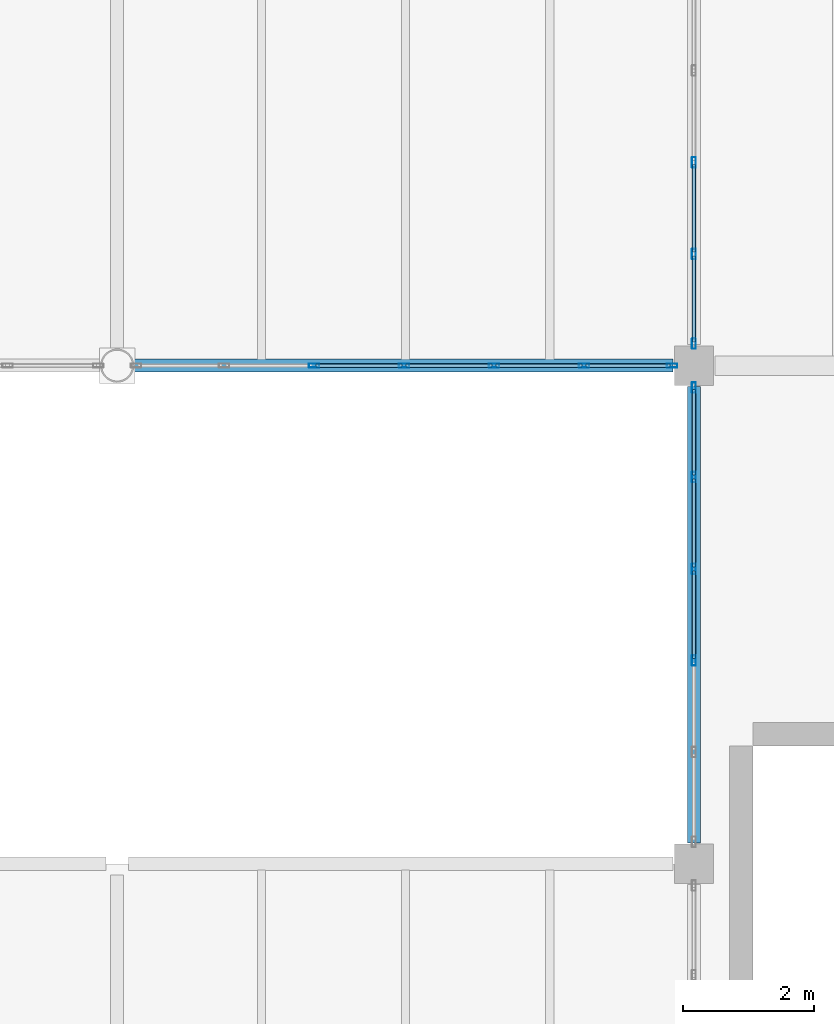
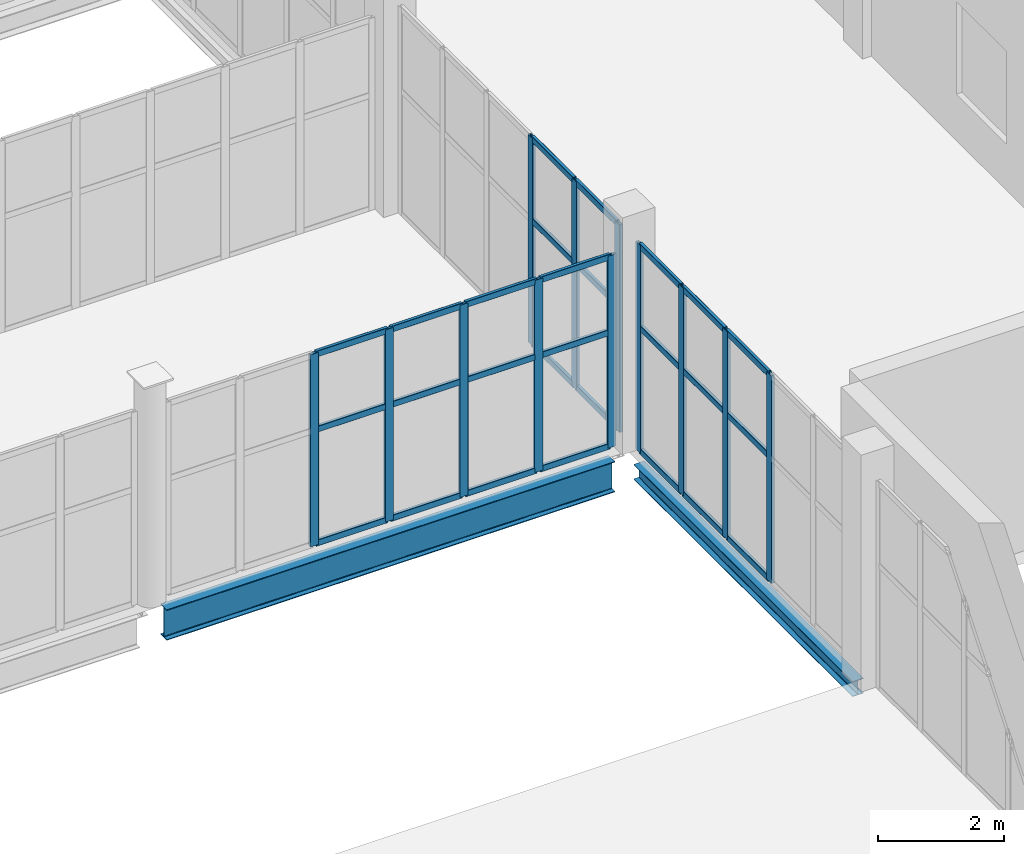
# One storey, part 85 of 136: 39 members, 2 beams, 3 elements without a shape of their own.
"""IFC4 building model written with IfcOpenShell, lengths in metres."""

from ifc_helpers import new_model, si_unit, direction, frame, origin, origin_2d, place, context, subcontext, project, spatial, hollow_rectangle, i_section, extrude, material, material_profile, profile_set, type_object, element, aggregate, save


model = new_model("IFC4")

# Units and contexts
model_context = context("Model", 3, precision=1e-05, world=origin(), true_north=direction((0.0, 1.0)))
body_context = subcontext(model_context, "Body", "Model", "MODEL_VIEW")
ifc_project = project(units=[si_unit("LENGTHUNIT", "METRE"), si_unit("AREAUNIT", "SQUARE_METRE"), si_unit("VOLUMEUNIT", "CUBIC_METRE"), si_unit("PLANEANGLEUNIT", "RADIAN"), si_unit("MASSUNIT", "GRAM", prefix="KILO")], contexts=[model_context])

# Site, building, storey
site_placement = place(None, origin())
site = spatial("IfcSite", under=ifc_project, at=site_placement, CompositionType="ELEMENT")
building_placement = place(site_placement, origin())
building = spatial("IfcBuilding", under=site, at=building_placement, Name="Shengluoqiao Park Theatre", CompositionType="ELEMENT")
storey_placement = place(building_placement, frame((0.0, 0.0, 10.0)))
storey = spatial("IfcBuildingStorey", under=building, at=storey_placement, Name="L02", CompositionType="ELEMENT", Elevation=10.0)

# Curtain wall, members
ifc_material_1 = material(Name="Aluminium 6063-T6", Category="aluminium")
curtain_wall_type_1 = type_object("IfcCurtainWallType", Name="ENV-CW-BRIDGE", PredefinedType="NOTDEFINED", material=ifc_material_1)
curtain_wall_1_placement = place(storey_placement, origin())
curtain_wall_1 = element("IfcCurtainWall", 1, at=curtain_wall_1_placement, inside=storey, type_object=curtain_wall_type_1, Name="L02 Curtain Wall CWX-L02-0114", PredefinedType="NOTDEFINED")
ifc_material_profile_1 = material_profile(ifc_material_1, hollow_rectangle(XDim=0.06005859375, YDim=0.159912109375, WallThickness=0.00390625, InnerFilletRadius=0.00390625, OuterFilletRadius=0.008056640625, at=origin_2d()), Name="ALU MULLION 160x60x4")
ifc_profile_set_1 = profile_set([ifc_material_profile_1], Name="Aluminium 6063-T6")
member_type_1 = type_object("IfcMemberType", Name="ENV-MUL-160", PredefinedType="MULLION", material=ifc_profile_set_1)
member_1_placement = place(storey_placement, frame((151.404052734375, 68.39990234375, 0.0), z_axis=(0.0, 0.0, 1.0), x_axis=(0.0, 1.0, 0.0)))
member_1 = element("IfcMember", 2, at=member_1_placement, type_object=member_type_1, Name="CW-03 mullion 3", PredefinedType="MULLION", context=body_context, shape_type="SweptSolid", body=[
    extrude(hollow_rectangle(XDim=0.06005859375, YDim=0.159912109375, WallThickness=0.00390625, InnerFilletRadius=0.00390625, OuterFilletRadius=0.008056640625, at=origin_2d()), origin(), (0.0, 0.0, 1.0), 3.73193359375),
])
member_2_placement = place(storey_placement, frame((152.777099609375, 68.39990234375, 0.0), z_axis=(0.0, 0.0, 1.0), x_axis=(0.0, 1.0, 0.0)))
member_2 = element("IfcMember", 3, at=member_2_placement, type_object=member_type_1, Name="CW-03 mullion 4", PredefinedType="MULLION", context=body_context, shape_type="SweptSolid", body=[
    extrude(hollow_rectangle(XDim=0.06005859375, YDim=0.159912109375, WallThickness=0.00390625, InnerFilletRadius=0.00390625, OuterFilletRadius=0.008056640625, at=origin_2d()), origin(), (0.0, 0.0, 1.0), 3.73193359375),
])
member_3_placement = place(storey_placement, frame((154.14990234375, 68.39990234375, 0.0), z_axis=(0.0, 0.0, 1.0), x_axis=(0.0, 1.0, 0.0)))
member_3 = element("IfcMember", 4, at=member_3_placement, type_object=member_type_1, Name="CW-03 mullion 5", PredefinedType="MULLION", context=body_context, shape_type="SweptSolid", body=[
    extrude(hollow_rectangle(XDim=0.06005859375, YDim=0.159912109375, WallThickness=0.00390625, InnerFilletRadius=0.00390625, OuterFilletRadius=0.008056640625, at=origin_2d()), origin(), (0.0, 0.0, 1.0), 3.73193359375),
])
member_4_placement = place(storey_placement, frame((155.52294921875, 68.39990234375, 0.0), z_axis=(0.0, 0.0, 1.0), x_axis=(0.0, 1.0, 0.0)))
member_4 = element("IfcMember", 5, at=member_4_placement, type_object=member_type_1, Name="CW-03 mullion 6", PredefinedType="MULLION", context=body_context, shape_type="SweptSolid", body=[
    extrude(hollow_rectangle(XDim=0.06005859375, YDim=0.159912109375, WallThickness=0.00390625, InnerFilletRadius=0.00390625, OuterFilletRadius=0.008056640625, at=origin_2d()), origin(), (0.0, 0.0, 1.0), 3.73193359375),
])
member_5_placement = place(storey_placement, frame((156.865966796875, 68.39990234375, 0.0), z_axis=(0.0, 0.0, 1.0), x_axis=(0.0, 1.0, 0.0)))
member_5 = element("IfcMember", 6, at=member_5_placement, type_object=member_type_1, Name="CW-03 mullion 7", PredefinedType="MULLION", context=body_context, shape_type="SweptSolid", body=[
    extrude(hollow_rectangle(XDim=0.06005859375, YDim=0.159912109375, WallThickness=0.00390625, InnerFilletRadius=0.00390625, OuterFilletRadius=0.008056640625, at=origin_2d()), origin(), (0.0, 0.0, 1.0), 3.73193359375),
])

curtain_wall_type_2 = type_object("IfcCurtainWallType", Name="ENV-CW-COURT", PredefinedType="NOTDEFINED", material=ifc_material_1)
curtain_wall_2_placement = place(storey_placement, origin())
curtain_wall_2 = element("IfcCurtainWall", 7, at=curtain_wall_2_placement, inside=storey, type_object=curtain_wall_type_2, Name="L02 Curtain Wall CWX-L02-0197", PredefinedType="NOTDEFINED")
member_6_placement = place(storey_placement, frame((157.199951171875, 63.90087890625, 0.0), z_axis=(0.0, 0.0, 1.0), x_axis=(-1.0, 0.0, 0.0)))
member_6 = element("IfcMember", 8, at=member_6_placement, type_object=member_type_1, Name="CW-05 mullion 3", PredefinedType="MULLION", context=body_context, shape_type="SweptSolid", body=[
    extrude(hollow_rectangle(XDim=0.06005859375, YDim=0.159912109375, WallThickness=0.00390625, InnerFilletRadius=0.00390625, OuterFilletRadius=0.008056640625, at=origin_2d()), origin(), (0.0, 0.0, 1.0), 4.033935546875),
])
member_7_placement = place(storey_placement, frame((157.199951171875, 65.29931640625, 0.0), z_axis=(0.0, 0.0, 1.0), x_axis=(-1.0, 0.0, 0.0)))
member_7 = element("IfcMember", 9, at=member_7_placement, type_object=member_type_1, Name="CW-05 mullion 4", PredefinedType="MULLION", context=body_context, shape_type="SweptSolid", body=[
    extrude(hollow_rectangle(XDim=0.06005859375, YDim=0.159912109375, WallThickness=0.00390625, InnerFilletRadius=0.00390625, OuterFilletRadius=0.008056640625, at=origin_2d()), origin(), (0.0, 0.0, 1.0), 4.033935546875),
])
member_8_placement = place(storey_placement, frame((157.199951171875, 66.697509765625, 0.0), z_axis=(0.0, 0.0, 1.0), x_axis=(-1.0, 0.0, 0.0)))
member_8 = element("IfcMember", 10, at=member_8_placement, type_object=member_type_1, Name="CW-05 mullion 5", PredefinedType="MULLION", context=body_context, shape_type="SweptSolid", body=[
    extrude(hollow_rectangle(XDim=0.06005859375, YDim=0.159912109375, WallThickness=0.00390625, InnerFilletRadius=0.00390625, OuterFilletRadius=0.008056640625, at=origin_2d()), origin(), (0.0, 0.0, 1.0), 4.033935546875),
])
member_9_placement = place(storey_placement, frame((157.199951171875, 68.06591796875, 0.0), z_axis=(0.0, 0.0, 1.0), x_axis=(-1.0, 0.0, 0.0)))
member_9 = element("IfcMember", 11, at=member_9_placement, type_object=member_type_1, Name="CW-05 mullion 6", PredefinedType="MULLION", context=body_context, shape_type="SweptSolid", body=[
    extrude(hollow_rectangle(XDim=0.06005859375, YDim=0.159912109375, WallThickness=0.00390625, InnerFilletRadius=0.00390625, OuterFilletRadius=0.008056640625, at=origin_2d()), origin(), (0.0, 0.0, 1.0), 4.033935546875),
])

curtain_wall_3_placement = place(storey_placement, origin())
curtain_wall_3 = element("IfcCurtainWall", 12, at=curtain_wall_3_placement, inside=storey, type_object=curtain_wall_type_2, Name="L02 Curtain Wall CWX-L02-0198", PredefinedType="NOTDEFINED")
member_10_placement = place(storey_placement, frame((157.199951171875, 68.73388671875, 0.0), z_axis=(0.0, 0.0, 1.0), x_axis=(-1.0, 0.0, 0.0)))
member_10 = element("IfcMember", 13, at=member_10_placement, type_object=member_type_1, Name="CW-05 mullion 1", PredefinedType="MULLION", context=body_context, shape_type="SweptSolid", body=[
    extrude(hollow_rectangle(XDim=0.06005859375, YDim=0.159912109375, WallThickness=0.00390625, InnerFilletRadius=0.00390625, OuterFilletRadius=0.008056640625, at=origin_2d()), origin(), (0.0, 0.0, 1.0), 4.033935546875),
])
member_11_placement = place(storey_placement, frame((157.199951171875, 70.102294921875, 0.0), z_axis=(0.0, 0.0, 1.0), x_axis=(-1.0, 0.0, 0.0)))
member_11 = element("IfcMember", 14, at=member_11_placement, type_object=member_type_1, Name="CW-05 mullion 2", PredefinedType="MULLION", context=body_context, shape_type="SweptSolid", body=[
    extrude(hollow_rectangle(XDim=0.06005859375, YDim=0.159912109375, WallThickness=0.00390625, InnerFilletRadius=0.00390625, OuterFilletRadius=0.008056640625, at=origin_2d()), origin(), (0.0, 0.0, 1.0), 4.033935546875),
])
member_12_placement = place(storey_placement, frame((157.199951171875, 71.500732421875, 0.0), z_axis=(0.0, 0.0, 1.0), x_axis=(-1.0, 0.0, 0.0)))
member_12 = element("IfcMember", 15, at=member_12_placement, type_object=member_type_1, Name="CW-05 mullion 3", PredefinedType="MULLION", context=body_context, shape_type="SweptSolid", body=[
    extrude(hollow_rectangle(XDim=0.06005859375, YDim=0.159912109375, WallThickness=0.00390625, InnerFilletRadius=0.00390625, OuterFilletRadius=0.008056640625, at=origin_2d()), origin(), (0.0, 0.0, 1.0), 4.033935546875),
])

# Member
ifc_material_profile_2 = material_profile(ifc_material_1, hollow_rectangle(XDim=0.06005859375, YDim=0.1201171875, WallThickness=0.00390625, InnerFilletRadius=0.00390625, OuterFilletRadius=0.008056640625, at=origin_2d()), Name="ALU TRANSOM 120x60x4")
ifc_profile_set_2 = profile_set([ifc_material_profile_2], Name="Aluminium 6063-T6")
member_type_2 = type_object("IfcMemberType", Name="ENV-TRN-120", PredefinedType="USERDEFINED", material=ifc_profile_set_2)
member_13_placement = place(storey_placement, frame((151.43408203125, 68.39990234375, 0.030029296875), z_axis=(1.0, 0.0, 0.0), x_axis=(0.0, 1.0, 0.0)))
member_13 = element("IfcMember", 16, at=member_13_placement, type_object=member_type_2, Name="CW-03 transom 3.1", ObjectType="TRANSOM", PredefinedType="USERDEFINED", context=body_context, shape_type="SweptSolid", body=[
    extrude(hollow_rectangle(XDim=0.06005859375, YDim=0.1201171875, WallThickness=0.00390625, InnerFilletRadius=0.00390625, OuterFilletRadius=0.008056640625, at=origin_2d()), origin(), (0.0, 0.0, 1.0), 1.31298828125),
])

member_14_placement = place(storey_placement, frame((151.43408203125, 68.39990234375, 2.239013671875), z_axis=(1.0, 0.0, 0.0), x_axis=(0.0, 1.0, 0.0)))
member_14 = element("IfcMember", 17, at=member_14_placement, type_object=member_type_2, Name="CW-03 transom 3.2", ObjectType="TRANSOM", PredefinedType="USERDEFINED", context=body_context, shape_type="SweptSolid", body=[
    extrude(hollow_rectangle(XDim=0.06005859375, YDim=0.1201171875, WallThickness=0.00390625, InnerFilletRadius=0.00390625, OuterFilletRadius=0.008056640625, at=origin_2d()), origin(), (0.0, 0.0, 1.0), 1.31298828125),
])

member_15_placement = place(storey_placement, frame((151.43408203125, 68.39990234375, 3.701904296875), z_axis=(1.0, 0.0, 0.0), x_axis=(0.0, 1.0, 0.0)))
member_15 = element("IfcMember", 18, at=member_15_placement, type_object=member_type_2, Name="CW-03 transom 3.3", ObjectType="TRANSOM", PredefinedType="USERDEFINED", context=body_context, shape_type="SweptSolid", body=[
    extrude(hollow_rectangle(XDim=0.06005859375, YDim=0.1201171875, WallThickness=0.00390625, InnerFilletRadius=0.00390625, OuterFilletRadius=0.008056640625, at=origin_2d()), origin(), (0.0, 0.0, 1.0), 1.31298828125),
])

member_16_placement = place(storey_placement, frame((152.806884765625, 68.39990234375, 0.030029296875), z_axis=(1.0, 0.0, 0.0), x_axis=(0.0, 1.0, 0.0)))
member_16 = element("IfcMember", 19, at=member_16_placement, type_object=member_type_2, Name="CW-03 transom 4.1", ObjectType="TRANSOM", PredefinedType="USERDEFINED", context=body_context, shape_type="SweptSolid", body=[
    extrude(hollow_rectangle(XDim=0.06005859375, YDim=0.1201171875, WallThickness=0.00390625, InnerFilletRadius=0.00390625, OuterFilletRadius=0.008056640625, at=origin_2d()), origin(), (0.0, 0.0, 1.0), 1.313232421875),
])

member_17_placement = place(storey_placement, frame((152.806884765625, 68.39990234375, 2.239013671875), z_axis=(1.0, 0.0, 0.0), x_axis=(0.0, 1.0, 0.0)))
member_17 = element("IfcMember", 20, at=member_17_placement, type_object=member_type_2, Name="CW-03 transom 4.2", ObjectType="TRANSOM", PredefinedType="USERDEFINED", context=body_context, shape_type="SweptSolid", body=[
    extrude(hollow_rectangle(XDim=0.06005859375, YDim=0.1201171875, WallThickness=0.00390625, InnerFilletRadius=0.00390625, OuterFilletRadius=0.008056640625, at=origin_2d()), origin(), (0.0, 0.0, 1.0), 1.313232421875),
])

member_18_placement = place(storey_placement, frame((152.806884765625, 68.39990234375, 3.701904296875), z_axis=(1.0, 0.0, 0.0), x_axis=(0.0, 1.0, 0.0)))
member_18 = element("IfcMember", 21, at=member_18_placement, type_object=member_type_2, Name="CW-03 transom 4.3", ObjectType="TRANSOM", PredefinedType="USERDEFINED", context=body_context, shape_type="SweptSolid", body=[
    extrude(hollow_rectangle(XDim=0.06005859375, YDim=0.1201171875, WallThickness=0.00390625, InnerFilletRadius=0.00390625, OuterFilletRadius=0.008056640625, at=origin_2d()), origin(), (0.0, 0.0, 1.0), 1.313232421875),
])

member_19_placement = place(storey_placement, frame((154.179931640625, 68.39990234375, 0.030029296875), z_axis=(1.0, 0.0, 0.0), x_axis=(0.0, 1.0, 0.0)))
member_19 = element("IfcMember", 22, at=member_19_placement, type_object=member_type_2, Name="CW-03 transom 5.1", ObjectType="TRANSOM", PredefinedType="USERDEFINED", context=body_context, shape_type="SweptSolid", body=[
    extrude(hollow_rectangle(XDim=0.06005859375, YDim=0.1201171875, WallThickness=0.00390625, InnerFilletRadius=0.00390625, OuterFilletRadius=0.008056640625, at=origin_2d()), origin(), (0.0, 0.0, 1.0), 1.31298828125),
])

member_20_placement = place(storey_placement, frame((154.179931640625, 68.39990234375, 2.239013671875), z_axis=(1.0, 0.0, 0.0), x_axis=(0.0, 1.0, 0.0)))
member_20 = element("IfcMember", 23, at=member_20_placement, type_object=member_type_2, Name="CW-03 transom 5.2", ObjectType="TRANSOM", PredefinedType="USERDEFINED", context=body_context, shape_type="SweptSolid", body=[
    extrude(hollow_rectangle(XDim=0.06005859375, YDim=0.1201171875, WallThickness=0.00390625, InnerFilletRadius=0.00390625, OuterFilletRadius=0.008056640625, at=origin_2d()), origin(), (0.0, 0.0, 1.0), 1.31298828125),
])

member_21_placement = place(storey_placement, frame((154.179931640625, 68.39990234375, 3.701904296875), z_axis=(1.0, 0.0, 0.0), x_axis=(0.0, 1.0, 0.0)))
member_21 = element("IfcMember", 24, at=member_21_placement, type_object=member_type_2, Name="CW-03 transom 5.3", ObjectType="TRANSOM", PredefinedType="USERDEFINED", context=body_context, shape_type="SweptSolid", body=[
    extrude(hollow_rectangle(XDim=0.06005859375, YDim=0.1201171875, WallThickness=0.00390625, InnerFilletRadius=0.00390625, OuterFilletRadius=0.008056640625, at=origin_2d()), origin(), (0.0, 0.0, 1.0), 1.31298828125),
])

member_22_placement = place(storey_placement, frame((155.552978515625, 68.39990234375, 0.030029296875), z_axis=(1.0, 0.0, 0.0), x_axis=(0.0, 1.0, 0.0)))
member_22 = element("IfcMember", 25, at=member_22_placement, type_object=member_type_2, Name="CW-03 transom 6.1", ObjectType="TRANSOM", PredefinedType="USERDEFINED", context=body_context, shape_type="SweptSolid", body=[
    extrude(hollow_rectangle(XDim=0.06005859375, YDim=0.1201171875, WallThickness=0.00390625, InnerFilletRadius=0.00390625, OuterFilletRadius=0.008056640625, at=origin_2d()), origin(), (0.0, 0.0, 1.0), 1.282958984375),
])

member_23_placement = place(storey_placement, frame((155.552978515625, 68.39990234375, 2.239013671875), z_axis=(1.0, 0.0, 0.0), x_axis=(0.0, 1.0, 0.0)))
member_23 = element("IfcMember", 26, at=member_23_placement, type_object=member_type_2, Name="CW-03 transom 6.2", ObjectType="TRANSOM", PredefinedType="USERDEFINED", context=body_context, shape_type="SweptSolid", body=[
    extrude(hollow_rectangle(XDim=0.06005859375, YDim=0.1201171875, WallThickness=0.00390625, InnerFilletRadius=0.00390625, OuterFilletRadius=0.008056640625, at=origin_2d()), origin(), (0.0, 0.0, 1.0), 1.282958984375),
])

member_24_placement = place(storey_placement, frame((155.552978515625, 68.39990234375, 3.701904296875), z_axis=(1.0, 0.0, 0.0), x_axis=(0.0, 1.0, 0.0)))
member_24 = element("IfcMember", 27, at=member_24_placement, type_object=member_type_2, Name="CW-03 transom 6.3", ObjectType="TRANSOM", PredefinedType="USERDEFINED", context=body_context, shape_type="SweptSolid", body=[
    extrude(hollow_rectangle(XDim=0.06005859375, YDim=0.1201171875, WallThickness=0.00390625, InnerFilletRadius=0.00390625, OuterFilletRadius=0.008056640625, at=origin_2d()), origin(), (0.0, 0.0, 1.0), 1.282958984375),
])

aggregate(curtain_wall_1, [member_1, member_2, member_3, member_4, member_5, member_13, member_14, member_15, member_16, member_17, member_18, member_19, member_20, member_21, member_22, member_23, member_24])

member_25_placement = place(storey_placement, frame((157.199951171875, 63.930908203125, 0.030029296875), z_axis=(0.0, 1.0, 0.0), x_axis=(-1.0, 0.0, 0.0)))
member_25 = element("IfcMember", 28, at=member_25_placement, type_object=member_type_2, Name="CW-05 transom 3.1", ObjectType="TRANSOM", PredefinedType="USERDEFINED", context=body_context, shape_type="SweptSolid", body=[
    extrude(hollow_rectangle(XDim=0.06005859375, YDim=0.1201171875, WallThickness=0.00390625, InnerFilletRadius=0.00390625, OuterFilletRadius=0.008056640625, at=origin_2d()), origin(), (0.0, 0.0, 1.0), 1.33837890625),
])

member_26_placement = place(storey_placement, frame((157.199951171875, 63.930908203125, 2.419921875), z_axis=(0.0, 1.0, 0.0), x_axis=(-1.0, 0.0, 0.0)))
member_26 = element("IfcMember", 29, at=member_26_placement, type_object=member_type_2, Name="CW-05 transom 3.2", ObjectType="TRANSOM", PredefinedType="USERDEFINED", context=body_context, shape_type="SweptSolid", body=[
    extrude(hollow_rectangle(XDim=0.06005859375, YDim=0.1201171875, WallThickness=0.00390625, InnerFilletRadius=0.00390625, OuterFilletRadius=0.008056640625, at=origin_2d()), origin(), (0.0, 0.0, 1.0), 1.33837890625),
])

member_27_placement = place(storey_placement, frame((157.199951171875, 63.930908203125, 4.00390625), z_axis=(0.0, 1.0, 0.0), x_axis=(-1.0, 0.0, 0.0)))
member_27 = element("IfcMember", 30, at=member_27_placement, type_object=member_type_2, Name="CW-05 transom 3.3", ObjectType="TRANSOM", PredefinedType="USERDEFINED", context=body_context, shape_type="SweptSolid", body=[
    extrude(hollow_rectangle(XDim=0.06005859375, YDim=0.1201171875, WallThickness=0.00390625, InnerFilletRadius=0.00390625, OuterFilletRadius=0.008056640625, at=origin_2d()), origin(), (0.0, 0.0, 1.0), 1.33837890625),
])

member_28_placement = place(storey_placement, frame((157.199951171875, 65.3291015625, 0.030029296875), z_axis=(0.0, 1.0, 0.0), x_axis=(-1.0, 0.0, 0.0)))
member_28 = element("IfcMember", 31, at=member_28_placement, type_object=member_type_2, Name="CW-05 transom 4.1", ObjectType="TRANSOM", PredefinedType="USERDEFINED", context=body_context, shape_type="SweptSolid", body=[
    extrude(hollow_rectangle(XDim=0.06005859375, YDim=0.1201171875, WallThickness=0.00390625, InnerFilletRadius=0.00390625, OuterFilletRadius=0.008056640625, at=origin_2d()), origin(), (0.0, 0.0, 1.0), 1.33837890625),
])

member_29_placement = place(storey_placement, frame((157.199951171875, 65.3291015625, 2.419921875), z_axis=(0.0, 1.0, 0.0), x_axis=(-1.0, 0.0, 0.0)))
member_29 = element("IfcMember", 32, at=member_29_placement, type_object=member_type_2, Name="CW-05 transom 4.2", ObjectType="TRANSOM", PredefinedType="USERDEFINED", context=body_context, shape_type="SweptSolid", body=[
    extrude(hollow_rectangle(XDim=0.06005859375, YDim=0.1201171875, WallThickness=0.00390625, InnerFilletRadius=0.00390625, OuterFilletRadius=0.008056640625, at=origin_2d()), origin(), (0.0, 0.0, 1.0), 1.33837890625),
])

member_30_placement = place(storey_placement, frame((157.199951171875, 65.3291015625, 4.00390625), z_axis=(0.0, 1.0, 0.0), x_axis=(-1.0, 0.0, 0.0)))
member_30 = element("IfcMember", 33, at=member_30_placement, type_object=member_type_2, Name="CW-05 transom 4.3", ObjectType="TRANSOM", PredefinedType="USERDEFINED", context=body_context, shape_type="SweptSolid", body=[
    extrude(hollow_rectangle(XDim=0.06005859375, YDim=0.1201171875, WallThickness=0.00390625, InnerFilletRadius=0.00390625, OuterFilletRadius=0.008056640625, at=origin_2d()), origin(), (0.0, 0.0, 1.0), 1.33837890625),
])

member_31_placement = place(storey_placement, frame((157.199951171875, 66.7275390625, 0.030029296875), z_axis=(0.0, 1.0, 0.0), x_axis=(-1.0, 0.0, 0.0)))
member_31 = element("IfcMember", 34, at=member_31_placement, type_object=member_type_2, Name="CW-05 transom 5.1", ObjectType="TRANSOM", PredefinedType="USERDEFINED", context=body_context, shape_type="SweptSolid", body=[
    extrude(hollow_rectangle(XDim=0.06005859375, YDim=0.1201171875, WallThickness=0.00390625, InnerFilletRadius=0.00390625, OuterFilletRadius=0.008056640625, at=origin_2d()), origin(), (0.0, 0.0, 1.0), 1.308349609375),
])

member_32_placement = place(storey_placement, frame((157.199951171875, 66.7275390625, 2.419921875), z_axis=(0.0, 1.0, 0.0), x_axis=(-1.0, 0.0, 0.0)))
member_32 = element("IfcMember", 35, at=member_32_placement, type_object=member_type_2, Name="CW-05 transom 5.2", ObjectType="TRANSOM", PredefinedType="USERDEFINED", context=body_context, shape_type="SweptSolid", body=[
    extrude(hollow_rectangle(XDim=0.06005859375, YDim=0.1201171875, WallThickness=0.00390625, InnerFilletRadius=0.00390625, OuterFilletRadius=0.008056640625, at=origin_2d()), origin(), (0.0, 0.0, 1.0), 1.308349609375),
])

member_33_placement = place(storey_placement, frame((157.199951171875, 66.7275390625, 4.00390625), z_axis=(0.0, 1.0, 0.0), x_axis=(-1.0, 0.0, 0.0)))
member_33 = element("IfcMember", 36, at=member_33_placement, type_object=member_type_2, Name="CW-05 transom 5.3", ObjectType="TRANSOM", PredefinedType="USERDEFINED", context=body_context, shape_type="SweptSolid", body=[
    extrude(hollow_rectangle(XDim=0.06005859375, YDim=0.1201171875, WallThickness=0.00390625, InnerFilletRadius=0.00390625, OuterFilletRadius=0.008056640625, at=origin_2d()), origin(), (0.0, 0.0, 1.0), 1.308349609375),
])

aggregate(curtain_wall_2, [member_6, member_7, member_8, member_9, member_25, member_26, member_27, member_28, member_29, member_30, member_31, member_32, member_33])

member_34_placement = place(storey_placement, frame((157.199951171875, 68.763916015625, 0.030029296875), z_axis=(0.0, 1.0, 0.0), x_axis=(-1.0, 0.0, 0.0)))
member_34 = element("IfcMember", 37, at=member_34_placement, type_object=member_type_2, Name="CW-05 transom 1.1", ObjectType="TRANSOM", PredefinedType="USERDEFINED", context=body_context, shape_type="SweptSolid", body=[
    extrude(hollow_rectangle(XDim=0.06005859375, YDim=0.1201171875, WallThickness=0.00390625, InnerFilletRadius=0.00390625, OuterFilletRadius=0.008056640625, at=origin_2d()), origin(), (0.0, 0.0, 1.0), 1.30859375),
])

member_35_placement = place(storey_placement, frame((157.199951171875, 68.763916015625, 2.419921875), z_axis=(0.0, 1.0, 0.0), x_axis=(-1.0, 0.0, 0.0)))
member_35 = element("IfcMember", 38, at=member_35_placement, type_object=member_type_2, Name="CW-05 transom 1.2", ObjectType="TRANSOM", PredefinedType="USERDEFINED", context=body_context, shape_type="SweptSolid", body=[
    extrude(hollow_rectangle(XDim=0.06005859375, YDim=0.1201171875, WallThickness=0.00390625, InnerFilletRadius=0.00390625, OuterFilletRadius=0.008056640625, at=origin_2d()), origin(), (0.0, 0.0, 1.0), 1.30859375),
])

member_36_placement = place(storey_placement, frame((157.199951171875, 68.763916015625, 4.00390625), z_axis=(0.0, 1.0, 0.0), x_axis=(-1.0, 0.0, 0.0)))
member_36 = element("IfcMember", 39, at=member_36_placement, type_object=member_type_2, Name="CW-05 transom 1.3", ObjectType="TRANSOM", PredefinedType="USERDEFINED", context=body_context, shape_type="SweptSolid", body=[
    extrude(hollow_rectangle(XDim=0.06005859375, YDim=0.1201171875, WallThickness=0.00390625, InnerFilletRadius=0.00390625, OuterFilletRadius=0.008056640625, at=origin_2d()), origin(), (0.0, 0.0, 1.0), 1.30859375),
])

member_37_placement = place(storey_placement, frame((157.199951171875, 70.13232421875, 0.030029296875), z_axis=(0.0, 1.0, 0.0), x_axis=(-1.0, 0.0, 0.0)))
member_37 = element("IfcMember", 40, at=member_37_placement, type_object=member_type_2, Name="CW-05 transom 2.1", ObjectType="TRANSOM", PredefinedType="USERDEFINED", context=body_context, shape_type="SweptSolid", body=[
    extrude(hollow_rectangle(XDim=0.06005859375, YDim=0.1201171875, WallThickness=0.00390625, InnerFilletRadius=0.00390625, OuterFilletRadius=0.008056640625, at=origin_2d()), origin(), (0.0, 0.0, 1.0), 1.33837890625),
])

member_38_placement = place(storey_placement, frame((157.199951171875, 70.13232421875, 2.419921875), z_axis=(0.0, 1.0, 0.0), x_axis=(-1.0, 0.0, 0.0)))
member_38 = element("IfcMember", 41, at=member_38_placement, type_object=member_type_2, Name="CW-05 transom 2.2", ObjectType="TRANSOM", PredefinedType="USERDEFINED", context=body_context, shape_type="SweptSolid", body=[
    extrude(hollow_rectangle(XDim=0.06005859375, YDim=0.1201171875, WallThickness=0.00390625, InnerFilletRadius=0.00390625, OuterFilletRadius=0.008056640625, at=origin_2d()), origin(), (0.0, 0.0, 1.0), 1.33837890625),
])

member_39_placement = place(storey_placement, frame((157.199951171875, 70.13232421875, 4.00390625), z_axis=(0.0, 1.0, 0.0), x_axis=(-1.0, 0.0, 0.0)))
member_39 = element("IfcMember", 42, at=member_39_placement, type_object=member_type_2, Name="CW-05 transom 2.3", ObjectType="TRANSOM", PredefinedType="USERDEFINED", context=body_context, shape_type="SweptSolid", body=[
    extrude(hollow_rectangle(XDim=0.06005859375, YDim=0.1201171875, WallThickness=0.00390625, InnerFilletRadius=0.00390625, OuterFilletRadius=0.008056640625, at=origin_2d()), origin(), (0.0, 0.0, 1.0), 1.33837890625),
])

aggregate(curtain_wall_3, [member_10, member_11, member_12, member_34, member_35, member_36, member_37, member_38, member_39])

# Beams
ifc_material_2 = material(Name="Steel Q355", Category="steel")
ifc_material_profile_3 = material_profile(ifc_material_2, i_section(OverallWidth=0.199951171875, OverallDepth=0.2939453125, WebThickness=0.008056640625, FlangeThickness=0.011962890625, FilletRadius=0.01611328125, at=origin_2d()), Name="HM 294x200x8x12")
ifc_profile_set_3 = profile_set([ifc_material_profile_3], Name="Steel Q355")
beam_type_1 = type_object("IfcBeamType", Name="STR-BM-G-HM294", PredefinedType="BEAM", material=ifc_profile_set_3)
beam_1_placement = place(storey_placement, frame((157.199951171875, 61.118896484375, -0.386962890625), z_axis=(0.0, 1.0, 0.0), x_axis=(-1.0, 0.0, 0.0)))
element("IfcBeam", 43, at=beam_1_placement, inside=storey, type_object=beam_type_1, Name="L02 Transverse Girder 01157", PredefinedType="BEAM", context=body_context, shape_type="SweptSolid", body=[
    extrude(i_section(OverallWidth=0.199951171875, OverallDepth=0.2939453125, WebThickness=0.008056640625, FlangeThickness=0.011962890625, FilletRadius=0.01611328125, at=origin_2d()), origin(), (0.0, 0.0, 1.0), 6.962158203125),
])
ifc_material_profile_4 = material_profile(ifc_material_2, i_section(OverallWidth=0.198974609375, OverallDepth=0.595947265625, WebThickness=0.010009765625, FlangeThickness=0.014892578125, FilletRadius=0.02001953125, at=origin_2d()), Name="HN 596x199x10x15")
ifc_profile_set_4 = profile_set([ifc_material_profile_4], Name="Steel Q355")
beam_type_2 = type_object("IfcBeamType", Name="STR-BM-SP-HN596", PredefinedType="SPANDREL", material=ifc_profile_set_4)
beam_2_placement = place(storey_placement, frame((148.64794921875, 68.39990234375, -0.5380859375), z_axis=(1.0, 0.0, 0.0), x_axis=(0.0, 1.0, 0.0)))
element("IfcBeam", 44, at=beam_2_placement, inside=storey, type_object=beam_type_2, Name="L02 Primary Girder 01012", PredefinedType="SPANDREL", context=body_context, shape_type="SweptSolid", body=[
    extrude(i_section(OverallWidth=0.198974609375, OverallDepth=0.595947265625, WebThickness=0.010009765625, FlangeThickness=0.014892578125, FilletRadius=0.02001953125, at=origin_2d()), origin(), (0.0, 0.0, 1.0), 8.233154296875),
])

save(model, "model.ifc")
